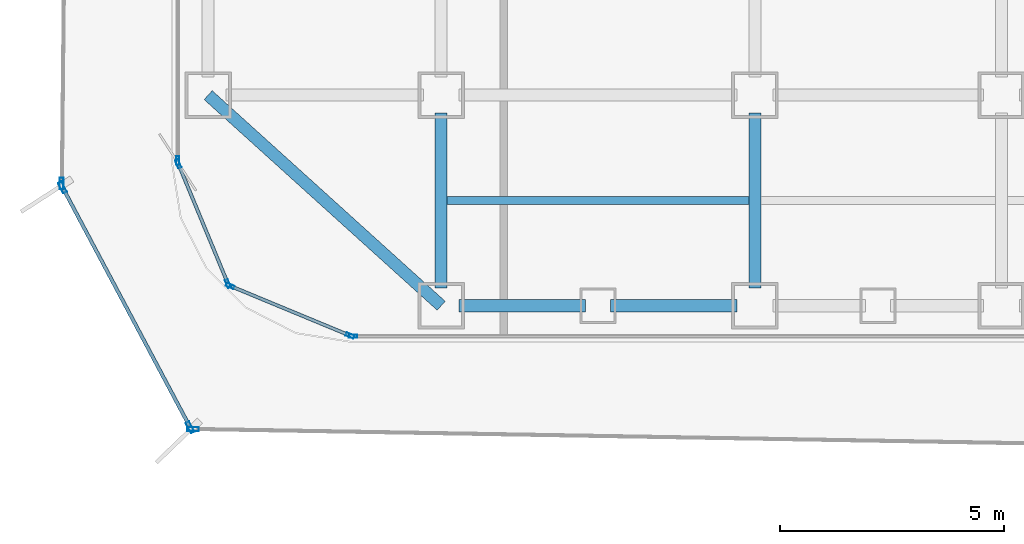
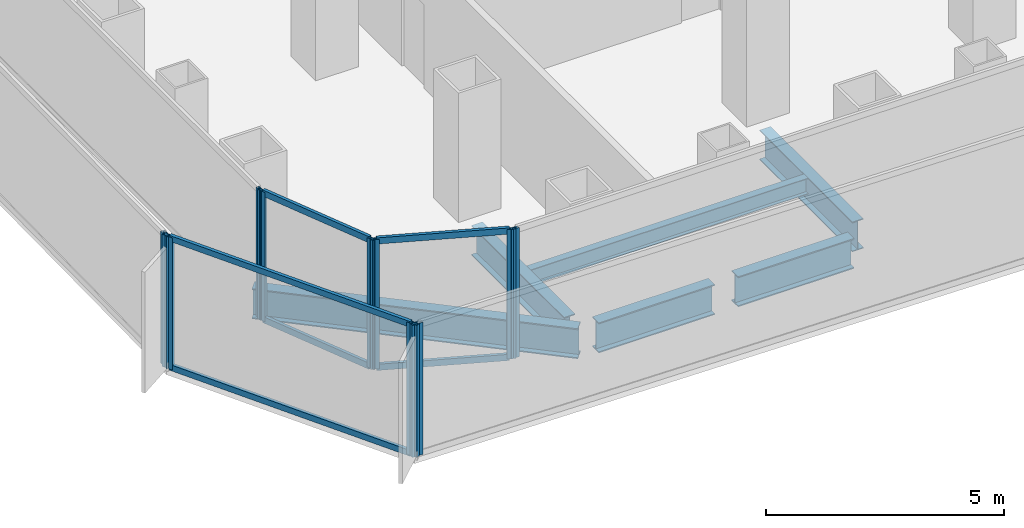
# One storey, part 2 of 21: 16 members, 6 beams, 7 elements without a shape of their own.
"""IFC4 building model written with IfcOpenShell, lengths in metres."""

from ifc_helpers import new_model, si_unit, direction, frame, origin, origin_2d, place, context, subcontext, project, spatial, hollow_rectangle, i_section, extrude, source, transform, mapped, material, layer, layer_set, material_profile, profile_set, type_object, element, aggregate, save


model = new_model("IFC4")

# Units and contexts
model_context = context("Model", 3, precision=1e-05, world=origin(), true_north=direction((0.0, 1.0)))
body_context = subcontext(model_context, "Body", "Model", "MODEL_VIEW")
ifc_project = project(units=[si_unit("LENGTHUNIT", "METRE"), si_unit("AREAUNIT", "SQUARE_METRE"), si_unit("VOLUMEUNIT", "CUBIC_METRE"), si_unit("PLANEANGLEUNIT", "RADIAN"), si_unit("MASSUNIT", "GRAM", prefix="KILO")], contexts=[model_context])

# Site, building, storey
site_placement = place(None, origin())
site = spatial("IfcSite", under=ifc_project, at=site_placement, CompositionType="ELEMENT")
building_placement = place(site_placement, origin())
building = spatial("IfcBuilding", under=site, at=building_placement, Name="Kolveth Station Tower", CompositionType="ELEMENT")
storey_placement = place(building_placement, frame((0.0, 0.0, 40.5)))
storey = spatial("IfcBuildingStorey", under=building, at=storey_placement, Name="L10", CompositionType="ELEMENT", Elevation=40.5)

# Beams
ifc_material_1 = material(Name="Steel S355", Category="steel")
ifc_material_profile_1 = material_profile(ifc_material_1, i_section(OverallWidth=0.26904296875, OverallDepth=0.77490234375, WebThickness=0.01708984375, FlangeThickness=0.0283203125, at=origin_2d()), Name="W760x220")
ifc_profile_set_1 = profile_set([ifc_material_profile_1], Name="Steel S355")
beam_type_1 = type_object("IfcBeamType", Name="Beam_SP1", PredefinedType="SPANDREL", material=ifc_profile_set_1)
shared_shape_1 = source(origin(), body_context, "Body", "SweptSolid", [
    extrude(i_section(OverallWidth=0.26904296875, OverallDepth=0.77490234375, WebThickness=0.01708984375, FlangeThickness=0.0283203125, at=origin_2d()), origin(), (0.0, 0.0, 1.0), 7.00927734375),
])
beam_1_placement = place(storey_placement, frame((0.800048828125, 5.5, -0.66748046875), z_axis=(0.741874009795, -0.670539300557, 0.0), x_axis=(0.670539300557, 0.741874009795, 0.0)))
element("IfcBeam", 1, at=beam_1_placement, inside=storey, type_object=beam_type_1, Name="L10 Corner Edge Girder BM-L10-CNR-SW", PredefinedType="SPANDREL", context=body_context, shape_type="MappedRepresentation", body=[
    mapped(shared_shape_1, transform((0.0, 0.0, 0.0), x_axis=(1.0, 0.0, 0.0), y_axis=(0.0, 1.0, 0.0), z_axis=(0.0, 0.0, 1.0), scale=1.0)),
])
shared_shape_2 = source(origin(), body_context, "Body", "SweptSolid", [
    extrude(i_section(OverallWidth=0.26904296875, OverallDepth=0.77490234375, WebThickness=0.01708984375, FlangeThickness=0.0283203125, at=origin_2d()), origin(), (0.0, 0.0, 1.0), 2.820068359375),
])
for number, where, z_axis, x_axis, name in (
    (2, (6.39990234375, 0.800048828125, -0.66748046875), (1.0, 0.0, 0.0), (0.0, 1.0, 0.0), "L10 Perimeter Spandrel BM-L10-PS-1"),
    (3, (9.780029296875, 0.800048828125, -0.66748046875), (1.0, 0.0, 0.0), (0.0, 1.0, 0.0), "L10 Perimeter Spandrel BM-L10-PS-2"),
):
    element("IfcBeam", number, at=place(storey_placement, frame(where, z_axis=z_axis, x_axis=x_axis)), inside=storey, type_object=beam_type_1, Name=name, PredefinedType="SPANDREL", context=body_context, shape_type="MappedRepresentation", body=[
        mapped(shared_shape_2, transform((0.0, 0.0, 0.0), x_axis=(1.0, 0.0, 0.0), y_axis=(0.0, 1.0, 0.0), z_axis=(0.0, 0.0, 1.0), scale=1.0)),
    ])
ifc_material_profile_2 = material_profile(ifc_material_1, i_section(OverallWidth=0.26708984375, OverallDepth=0.76611328125, WebThickness=0.014892578125, FlangeThickness=0.023681640625, at=origin_2d()), Name="W760x185")
ifc_profile_set_2 = profile_set([ifc_material_profile_2], Name="Steel S355")
beam_type_2 = type_object("IfcBeamType", Name="Beam_B3", PredefinedType="BEAM", material=ifc_profile_set_2)
shared_shape_3 = source(origin(), body_context, "Body", "SweptSolid", [
    extrude(i_section(OverallWidth=0.26708984375, OverallDepth=0.76611328125, WebThickness=0.014892578125, FlangeThickness=0.023681640625, at=origin_2d()), origin(), (0.0, 0.0, 1.0), 3.900146484375),
])
for number, where, z_axis, x_axis, name in (
    (4, (6.0, 1.199951171875, -0.6630859375), (0.0, 1.0, 0.0), (-1.0, 0.0, 0.0), "L10 Primary Girder BM-L10-GX60-1"),
    (5, (13.0, 1.199951171875, -0.6630859375), (0.0, 1.0, 0.0), (-1.0, 0.0, 0.0), "L10 Primary Girder BM-L10-GX130-1"),
):
    element("IfcBeam", number, at=place(storey_placement, frame(where, z_axis=z_axis, x_axis=x_axis)), inside=storey, type_object=beam_type_2, Name=name, PredefinedType="BEAM", context=body_context, shape_type="MappedRepresentation", body=[
        mapped(shared_shape_3, transform((0.0, 0.0, 0.0), x_axis=(1.0, 0.0, 0.0), y_axis=(0.0, 1.0, 0.0), z_axis=(0.0, 0.0, 1.0), scale=1.0)),
    ])
ifc_material_profile_3 = material_profile(ifc_material_1, i_section(OverallWidth=0.177978515625, OverallDepth=0.406982421875, WebThickness=0.0078125, FlangeThickness=0.0126953125, at=origin_2d()), Name="W410x60")
ifc_profile_set_3 = profile_set([ifc_material_profile_3], Name="Steel S355")
beam_type_3 = type_object("IfcBeamType", Name="Beam_J1", PredefinedType="JOIST", material=ifc_profile_set_3)
shared_shape_4 = source(origin(), body_context, "Body", "SweptSolid", [
    extrude(i_section(OverallWidth=0.177978515625, OverallDepth=0.406982421875, WebThickness=0.0078125, FlangeThickness=0.0126953125, at=origin_2d()), origin(), (0.0, 0.0, 1.0), 6.73681640625),
])
beam_2_placement = place(storey_placement, frame((6.131591796875, 3.14990234375, -0.4833984375), z_axis=(1.0, 0.0, 0.0), x_axis=(0.0, 1.0, 0.0)))
element("IfcBeam", 6, at=beam_2_placement, inside=storey, type_object=beam_type_3, Name="L10 Secondary Joist JST-L10-2-1", PredefinedType="JOIST", context=body_context, shape_type="MappedRepresentation", body=[
    mapped(shared_shape_4, transform((0.0, 0.0, 0.0), x_axis=(1.0, 0.0, 0.0), y_axis=(0.0, 1.0, 0.0), z_axis=(0.0, 0.0, 1.0), scale=1.0)),
])

# Curtain wall, member
ifc_material_2 = material(Name="Aluminium 6063-T6 and low-E dark glass", Category="aluminium")
ifc_layer_1 = layer(ifc_material_2, 0.179931640625)
ifc_layer_set_1 = layer_set([ifc_layer_1], Name="Aluminium 6063-T6 and low-E dark glass")
curtain_wall_type_1 = type_object("IfcCurtainWallType", Name="CurtainWall_CW-Z1", PredefinedType="NOTDEFINED", material=ifc_layer_set_1)
curtain_wall_1_placement = place(storey_placement, origin())
curtain_wall_1 = element("IfcCurtainWall", 7, at=curtain_wall_1_placement, inside=storey, type_object=curtain_wall_type_1, Name="L10 Inner Thermal Curtain Wall 9", PredefinedType="NOTDEFINED")
ifc_material_3 = material(Name="Black anodized aluminium 6063-T6", Category="aluminium")
ifc_material_profile_4 = material_profile(ifc_material_3, hollow_rectangle(XDim=0.074951171875, YDim=0.18994140625, WallThickness=0.0048828125, at=origin_2d()), Name="ALU-75x190x5")
ifc_profile_set_4 = profile_set([ifc_material_profile_4], Name="Black anodized aluminium 6063-T6")
member_type_1 = type_object("IfcMemberType", Name="Mullion_ML1", PredefinedType="MULLION", material=ifc_profile_set_4)
shared_shape_5 = source(origin(), body_context, "Body", "SweptSolid", [
    extrude(hollow_rectangle(XDim=0.074951171875, YDim=0.18994140625, WallThickness=0.0048828125, at=origin_2d()), origin(), (0.0, 0.0, 1.0), 3.320068359375),
])
member_1_placement = place(storey_placement, frame((0.1201171875, 4.03759765625, 0.0), z_axis=(0.0, 0.0, 1.0), x_axis=(1.0, 0.0, 0.0)))
member_1 = element("IfcMember", 8, at=member_1_placement, type_object=member_type_1, Name="CW-Z1 mullion 2", PredefinedType="MULLION", context=body_context, shape_type="MappedRepresentation", body=[
    mapped(shared_shape_5, transform((0.0, 0.0, 0.0), x_axis=(1.0, 0.0, 0.0), y_axis=(0.0, 1.0, 0.0), z_axis=(0.0, 0.0, 1.0), scale=1.0)),
])
aggregate(curtain_wall_1, [member_1])

# Curtain wall, members
curtain_wall_2_placement = place(storey_placement, origin())
curtain_wall_2 = element("IfcCurtainWall", 9, at=curtain_wall_2_placement, inside=storey, type_object=curtain_wall_type_1, Name="L10 Inner Thermal Curtain Wall 10", PredefinedType="NOTDEFINED")
member_2_placement = place(storey_placement, frame((0.13427734375, 3.96533203125, 0.0), z_axis=(0.0, 0.0, 1.0), x_axis=(0.923883857728, 0.382672990201, 0.0)))
member_2 = element("IfcMember", 10, at=member_2_placement, type_object=member_type_1, Name="CW-Z1 mullion 1", PredefinedType="MULLION", context=body_context, shape_type="MappedRepresentation", body=[
    mapped(shared_shape_5, transform((0.0, 0.0, 0.0), x_axis=(1.0, 0.0, 0.0), y_axis=(0.0, 1.0, 0.0), z_axis=(0.0, 0.0, 1.0), scale=1.0)),
])
member_3_placement = place(storey_placement, frame((1.241943359375, 1.291015625, 0.0), z_axis=(0.0, 0.0, 1.0), x_axis=(0.923883857728, 0.382672990201, 0.0)))
member_3 = element("IfcMember", 11, at=member_3_placement, type_object=member_type_1, Name="CW-Z1 mullion 2", PredefinedType="MULLION", context=body_context, shape_type="MappedRepresentation", body=[
    mapped(shared_shape_5, transform((0.0, 0.0, 0.0), x_axis=(1.0, 0.0, 0.0), y_axis=(0.0, 1.0, 0.0), z_axis=(0.0, 0.0, 1.0), scale=1.0)),
])

curtain_wall_3_placement = place(storey_placement, origin())
curtain_wall_3 = element("IfcCurtainWall", 12, at=curtain_wall_3_placement, inside=storey, type_object=curtain_wall_type_1, Name="L10 Inner Thermal Curtain Wall 11", PredefinedType="NOTDEFINED")
member_4_placement = place(storey_placement, frame((1.291015625, 1.241943359375, 0.0), z_axis=(0.0, 0.0, 1.0), x_axis=(0.382672990201, 0.923883857728, 0.0)))
member_4 = element("IfcMember", 13, at=member_4_placement, type_object=member_type_1, Name="CW-Z1 mullion 1", PredefinedType="MULLION", context=body_context, shape_type="MappedRepresentation", body=[
    mapped(shared_shape_5, transform((0.0, 0.0, 0.0), x_axis=(1.0, 0.0, 0.0), y_axis=(0.0, 1.0, 0.0), z_axis=(0.0, 0.0, 1.0), scale=1.0)),
])
member_5_placement = place(storey_placement, frame((3.96533203125, 0.13427734375, 0.0), z_axis=(0.0, 0.0, 1.0), x_axis=(0.382672990201, 0.923883857728, 0.0)))
member_5 = element("IfcMember", 14, at=member_5_placement, type_object=member_type_1, Name="CW-Z1 mullion 2", PredefinedType="MULLION", context=body_context, shape_type="MappedRepresentation", body=[
    mapped(shared_shape_5, transform((0.0, 0.0, 0.0), x_axis=(1.0, 0.0, 0.0), y_axis=(0.0, 1.0, 0.0), z_axis=(0.0, 0.0, 1.0), scale=1.0)),
])

# Curtain wall, member
curtain_wall_4_placement = place(storey_placement, origin())
curtain_wall_4 = element("IfcCurtainWall", 15, at=curtain_wall_4_placement, inside=storey, type_object=curtain_wall_type_1, Name="L10 Inner Thermal Curtain Wall 12", PredefinedType="NOTDEFINED")
member_6_placement = place(storey_placement, frame((4.03759765625, 0.1201171875, 0.0), z_axis=(0.0, 0.0, 1.0), x_axis=(0.0, 1.0, 0.0)))
member_6 = element("IfcMember", 16, at=member_6_placement, type_object=member_type_1, Name="CW-Z1 mullion 1", PredefinedType="MULLION", context=body_context, shape_type="MappedRepresentation", body=[
    mapped(shared_shape_5, transform((0.0, 0.0, 0.0), x_axis=(1.0, 0.0, 0.0), y_axis=(0.0, 1.0, 0.0), z_axis=(0.0, 0.0, 1.0), scale=1.0)),
])
aggregate(curtain_wall_4, [member_6])

# Member
ifc_material_profile_5 = material_profile(ifc_material_3, hollow_rectangle(XDim=0.074951171875, YDim=0.159912109375, WallThickness=0.0048828125, at=origin_2d()), Name="ALU-75x160x5")
ifc_profile_set_5 = profile_set([ifc_material_profile_5], Name="Black anodized aluminium 6063-T6")
member_type_2 = type_object("IfcMemberType", Name="Transom_TR1", PredefinedType="USERDEFINED", material=ifc_profile_set_5)
shared_shape_6 = source(origin(), body_context, "Body", "SweptSolid", [
    extrude(hollow_rectangle(XDim=0.074951171875, YDim=0.159912109375, WallThickness=0.0048828125, at=origin_2d()), origin(), (0.0, 0.0, 1.0), 2.819580078125),
])
member_7_placement = place(storey_placement, frame((0.148681640625, 3.9306640625, 0.03759765625), z_axis=(0.382708655389, -0.923869084389, 0.0), x_axis=(0.923869084389, 0.382708655389, 0.0)))
member_7 = element("IfcMember", 17, at=member_7_placement, type_object=member_type_2, Name="CW-Z1 transom 1.1", ObjectType="TRANSOM", PredefinedType="USERDEFINED", context=body_context, shape_type="MappedRepresentation", body=[
    mapped(shared_shape_6, transform((0.0, 0.0, 0.0), x_axis=(1.0, 0.0, 0.0), y_axis=(0.0, 1.0, 0.0), z_axis=(0.0, 0.0, 1.0), scale=1.0)),
])

member_8_placement = place(storey_placement, frame((0.148681640625, 3.9306640625, 3.282470703125), z_axis=(0.382708655389, -0.923869084389, 0.0), x_axis=(0.923869084389, 0.382708655389, 0.0)))
member_8 = element("IfcMember", 18, at=member_8_placement, type_object=member_type_2, Name="CW-Z1 transom 1.2", ObjectType="TRANSOM", PredefinedType="USERDEFINED", context=body_context, shape_type="MappedRepresentation", body=[
    mapped(shared_shape_6, transform((0.0, 0.0, 0.0), x_axis=(1.0, 0.0, 0.0), y_axis=(0.0, 1.0, 0.0), z_axis=(0.0, 0.0, 1.0), scale=1.0)),
])

aggregate(curtain_wall_2, [member_2, member_3, member_7, member_8])

member_9_placement = place(storey_placement, frame((1.32568359375, 1.227783203125, 0.03759765625), z_axis=(0.923869084389, -0.382708655389, 0.0), x_axis=(0.382708655389, 0.923869084389, 0.0)))
member_9 = element("IfcMember", 19, at=member_9_placement, type_object=member_type_2, Name="CW-Z1 transom 1.1", ObjectType="TRANSOM", PredefinedType="USERDEFINED", context=body_context, shape_type="MappedRepresentation", body=[
    mapped(shared_shape_6, transform((0.0, 0.0, 0.0), x_axis=(1.0, 0.0, 0.0), y_axis=(0.0, 1.0, 0.0), z_axis=(0.0, 0.0, 1.0), scale=1.0)),
])

member_10_placement = place(storey_placement, frame((1.32568359375, 1.227783203125, 3.282470703125), z_axis=(0.923869084389, -0.382708655389, 0.0), x_axis=(0.382708655389, 0.923869084389, 0.0)))
member_10 = element("IfcMember", 20, at=member_10_placement, type_object=member_type_2, Name="CW-Z1 transom 1.2", ObjectType="TRANSOM", PredefinedType="USERDEFINED", context=body_context, shape_type="MappedRepresentation", body=[
    mapped(shared_shape_6, transform((0.0, 0.0, 0.0), x_axis=(1.0, 0.0, 0.0), y_axis=(0.0, 1.0, 0.0), z_axis=(0.0, 0.0, 1.0), scale=1.0)),
])

aggregate(curtain_wall_3, [member_4, member_5, member_9, member_10])

# Curtain wall, member
ifc_material_4 = material(Name="Black anodized aluminium 6063-T6 and dark solar glass", Category="aluminium")
ifc_layer_2 = layer(ifc_material_4, 0.159912109375)
ifc_layer_set_2 = layer_set([ifc_layer_2], Name="Black anodized aluminium 6063-T6 and dark solar glass")
curtain_wall_type_2 = type_object("IfcCurtainWallType", Name="OUTER SKIN CW-OS", PredefinedType="NOTDEFINED", material=ifc_layer_set_2)
curtain_wall_5_placement = place(storey_placement, origin())
curtain_wall_5 = element("IfcCurtainWall", 21, at=curtain_wall_5_placement, inside=storey, type_object=curtain_wall_type_2, Name="L10 Outer Ventilated Skin Curtain Wall 6", PredefinedType="NOTDEFINED")
ifc_material_profile_6 = material_profile(ifc_material_3, hollow_rectangle(XDim=0.090087890625, YDim=0.260009765625, WallThickness=0.0048828125, at=origin_2d()), Name="ALU-90x260x5")
ifc_profile_set_6 = profile_set([ifc_material_profile_6], Name="Black anodized aluminium 6063-T6")
member_type_3 = type_object("IfcMemberType", Name="FIN MULLION ML-OS", PredefinedType="MULLION", material=ifc_profile_set_6)
shared_shape_7 = source(origin(), body_context, "Body", "SweptSolid", [
    extrude(hollow_rectangle(XDim=0.090087890625, YDim=0.260009765625, WallThickness=0.0048828125, at=origin_2d()), origin(), (0.0, 0.0, 1.0), 3.389892578125),
])
member_11_placement = place(storey_placement, frame((-2.470458984375, 3.525390625, 0.0), z_axis=(0.0, 0.0, 1.0), x_axis=(0.999945524572, -0.010437810504, 0.0)))
member_11 = element("IfcMember", 22, at=member_11_placement, type_object=member_type_3, Name="CW-OS mullion 2", PredefinedType="MULLION", context=body_context, shape_type="MappedRepresentation", body=[
    mapped(shared_shape_7, transform((0.0, 0.0, 0.0), x_axis=(1.0, 0.0, 0.0), y_axis=(0.0, 1.0, 0.0), z_axis=(0.0, 0.0, 1.0), scale=1.0)),
])
aggregate(curtain_wall_5, [member_11])

# Curtain wall, members
curtain_wall_6_placement = place(storey_placement, origin())
curtain_wall_6 = element("IfcCurtainWall", 23, at=curtain_wall_6_placement, inside=storey, type_object=curtain_wall_type_2, Name="L10 Outer Ventilated Skin Curtain Wall 7", PredefinedType="NOTDEFINED")
member_12_placement = place(storey_placement, frame((-2.44970703125, 3.440673828125, 0.0), z_axis=(0.0, 0.0, 1.0), x_axis=(0.882917250291, 0.469528624409, 0.0)))
member_12 = element("IfcMember", 24, at=member_12_placement, type_object=member_type_3, Name="CW-OS mullion 1", PredefinedType="MULLION", context=body_context, shape_type="MappedRepresentation", body=[
    mapped(shared_shape_7, transform((0.0, 0.0, 0.0), x_axis=(1.0, 0.0, 0.0), y_axis=(0.0, 1.0, 0.0), z_axis=(0.0, 0.0, 1.0), scale=1.0)),
])
member_13_placement = place(storey_placement, frame((0.3974609375, -1.91357421875, 0.0), z_axis=(0.0, 0.0, 1.0), x_axis=(0.882917250291, 0.469528624409, 0.0)))
member_13 = element("IfcMember", 25, at=member_13_placement, type_object=member_type_3, Name="CW-OS mullion 2", PredefinedType="MULLION", context=body_context, shape_type="MappedRepresentation", body=[
    mapped(shared_shape_7, transform((0.0, 0.0, 0.0), x_axis=(1.0, 0.0, 0.0), y_axis=(0.0, 1.0, 0.0), z_axis=(0.0, 0.0, 1.0), scale=1.0)),
])

# Curtain wall, member
curtain_wall_7_placement = place(storey_placement, origin())
curtain_wall_7 = element("IfcCurtainWall", 26, at=curtain_wall_7_placement, inside=storey, type_object=curtain_wall_type_2, Name="L10 Outer Ventilated Skin Curtain Wall 8", PredefinedType="NOTDEFINED")
member_14_placement = place(storey_placement, frame((0.463623046875, -1.9541015625, 0.0), z_axis=(0.0, 0.0, 1.0), x_axis=(0.017168865757, 0.999852604162, 0.0)))
member_14 = element("IfcMember", 27, at=member_14_placement, type_object=member_type_3, Name="CW-OS mullion 1", PredefinedType="MULLION", context=body_context, shape_type="MappedRepresentation", body=[
    mapped(shared_shape_7, transform((0.0, 0.0, 0.0), x_axis=(1.0, 0.0, 0.0), y_axis=(0.0, 1.0, 0.0), z_axis=(0.0, 0.0, 1.0), scale=1.0)),
])
aggregate(curtain_wall_7, [member_14])

# Member
ifc_material_profile_7 = material_profile(ifc_material_3, hollow_rectangle(XDim=0.080078125, YDim=0.14990234375, WallThickness=0.0048828125, at=origin_2d()), Name="ALU-80x150x5")
ifc_profile_set_7 = profile_set([ifc_material_profile_7], Name="Black anodized aluminium 6063-T6")
member_type_4 = type_object("IfcMemberType", Name="Transom_TR-OS", PredefinedType="USERDEFINED", material=ifc_profile_set_7)
shared_shape_8 = source(origin(), body_context, "Body", "SweptSolid", [
    extrude(hollow_rectangle(XDim=0.080078125, YDim=0.14990234375, WallThickness=0.0048828125, at=origin_2d()), origin(), (0.0, 0.0, 1.0), 5.97412109375),
])
member_15_placement = place(storey_placement, frame((-2.4287109375, 3.40087890625, 0.0400390625), z_axis=(0.469548587111, -0.882906633989, 0.0), x_axis=(0.882906633989, 0.469548587111, 0.0)))
member_15 = element("IfcMember", 28, at=member_15_placement, type_object=member_type_4, Name="CW-OS transom 1.1", ObjectType="TRANSOM", PredefinedType="USERDEFINED", context=body_context, shape_type="MappedRepresentation", body=[
    mapped(shared_shape_8, transform((0.0, 0.0, 0.0), x_axis=(1.0, 0.0, 0.0), y_axis=(0.0, 1.0, 0.0), z_axis=(0.0, 0.0, 1.0), scale=1.0)),
])

member_16_placement = place(storey_placement, frame((-2.4287109375, 3.40087890625, 3.35009765625), z_axis=(0.469548587111, -0.882906633989, 0.0), x_axis=(0.882906633989, 0.469548587111, 0.0)))
member_16 = element("IfcMember", 29, at=member_16_placement, type_object=member_type_4, Name="CW-OS transom 1.2", ObjectType="TRANSOM", PredefinedType="USERDEFINED", context=body_context, shape_type="MappedRepresentation", body=[
    mapped(shared_shape_8, transform((0.0, 0.0, 0.0), x_axis=(1.0, 0.0, 0.0), y_axis=(0.0, 1.0, 0.0), z_axis=(0.0, 0.0, 1.0), scale=1.0)),
])

aggregate(curtain_wall_6, [member_12, member_13, member_15, member_16])

save(model, "model.ifc")
